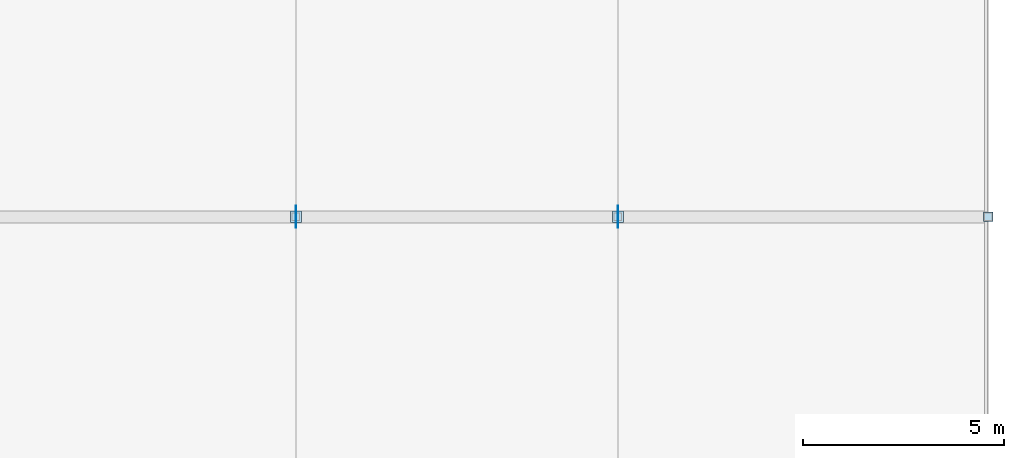
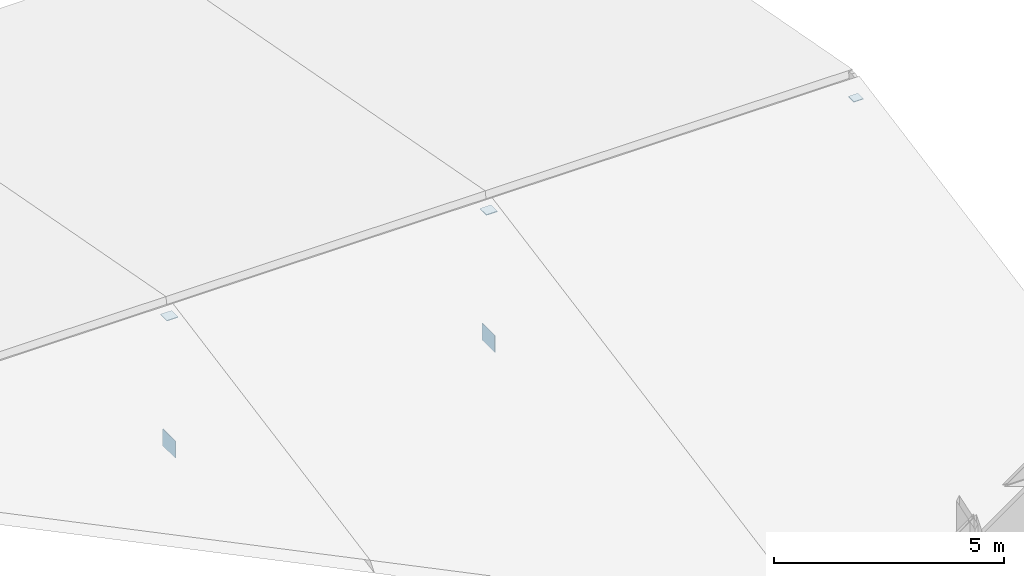
# One storey, part 38 of 63: 5 plates.
"""IFC4 building model written with IfcOpenShell, lengths in metres."""

from ifc_helpers import new_model, si_unit, direction, frame, origin, origin_2d, place, context, subcontext, project, spatial, rectangle, extrude, material, layer, layer_set, type_object, element, save


model = new_model("IFC4")

# Units and contexts
model_context = context("Model", 3, precision=1e-05, world=origin(), true_north=direction((0.0, 1.0)))
body_context = subcontext(model_context, "Body", "Model", "MODEL_VIEW")
ifc_project = project(units=[si_unit("LENGTHUNIT", "METRE"), si_unit("AREAUNIT", "SQUARE_METRE"), si_unit("VOLUMEUNIT", "CUBIC_METRE"), si_unit("PLANEANGLEUNIT", "RADIAN"), si_unit("MASSUNIT", "GRAM", prefix="KILO")], contexts=[model_context])

# Site, building, storey
site_placement = place(None, origin())
site = spatial("IfcSite", under=ifc_project, at=site_placement, CompositionType="ELEMENT")
building_placement = place(site_placement, origin())
building = spatial("IfcBuilding", under=site, at=building_placement, Name="Valkorina Park Police Headquarters", CompositionType="ELEMENT")
storey_placement = place(building_placement, frame((0.0, 0.0, 9.89990234375)))
storey = spatial("IfcBuildingStorey", under=building, at=storey_placement, Name="L03", CompositionType="ELEMENT", Elevation=9.89990234375)

# Plates
ifc_material = material(Name="Steel S355", Category="steel")
ifc_layer_1 = layer(ifc_material, 0.02001953125)
ifc_layer_set_1 = layer_set([ifc_layer_1], Name="Steel S355")
plate_type_1 = type_object("IfcPlateType", Name="PL-ENDCAP-20", PredefinedType="USERDEFINED", material=ifc_layer_set_1)
plate_placement = place(storey_placement, frame((162.0, 96.199951171875, 2.3251953125), z_axis=(0.0, 0.0, 1.0), x_axis=(1.0, 0.0, 0.0)))
element("IfcPlate", 1, at=plate_placement, inside=storey, type_object=plate_type_1, Name="Hollow Column Top End Cap Plate 5", ObjectType="END CAP PLATE", PredefinedType="USERDEFINED", context=body_context, shape_type="SweptSolid", body=[
    extrude(rectangle(XDim=0.239990234375, YDim=0.239990234375, at=origin_2d()), origin(), (0.0, 0.0, 1.0), 0.02001953125),
])
for number, where, z_axis, x_axis, name in (
    (2, (144.800048828125, 96.199951171875, 2.570068359375), (0.0, 0.0, 1.0), (1.0, 0.0, 0.0), "V3 King-Post Top End Cap Plate 56"),
    (3, (152.800048828125, 96.199951171875, 2.570068359375), (0.0, 0.0, 1.0), (1.0, 0.0, 0.0), "V3 King-Post Top End Cap Plate 58"),
):
    element("IfcPlate", number, at=place(storey_placement, frame(where, z_axis=z_axis, x_axis=x_axis)), inside=storey, type_object=plate_type_1, Name=name, ObjectType="END CAP PLATE", PredefinedType="USERDEFINED", context=body_context, shape_type="SweptSolid", body=[
        extrude(rectangle(XDim=0.280029296875, YDim=0.280029296875, at=origin_2d()), origin(), (0.0, 0.0, 1.0), 0.02001953125),
    ])
ifc_layer_2 = layer(ifc_material, 0.01611328125)
ifc_layer_set_2 = layer_set([ifc_layer_2], Name="Steel S355")
plate_type_2 = type_object("IfcPlateType", Name="PL-GUSSET-16", PredefinedType="USERDEFINED", material=ifc_layer_set_2)
for number, where, z_axis, x_axis, name in (
    (4, (144.800048828125, 96.199951171875, -1.02490234375), (0.0, 0.0, 1.0), (1.0, 0.0, 0.0), "V3 King-Post Bottom Gusset Plate 55"),
    (5, (152.800048828125, 96.199951171875, -1.02490234375), (0.0, 0.0, 1.0), (1.0, 0.0, 0.0), "V3 King-Post Bottom Gusset Plate 57"),
):
    element("IfcPlate", number, at=place(storey_placement, frame(where, z_axis=z_axis, x_axis=x_axis)), inside=storey, type_object=plate_type_2, Name=name, ObjectType="GUSSET PLATE", PredefinedType="USERDEFINED", context=body_context, shape_type="SweptSolid", body=[
        extrude(rectangle(XDim=0.01611328125, YDim=0.550048828125, at=origin_2d()), origin(), (0.0, 0.0, 1.0), 0.449951171875),
    ])

save(model, "model.ifc")
